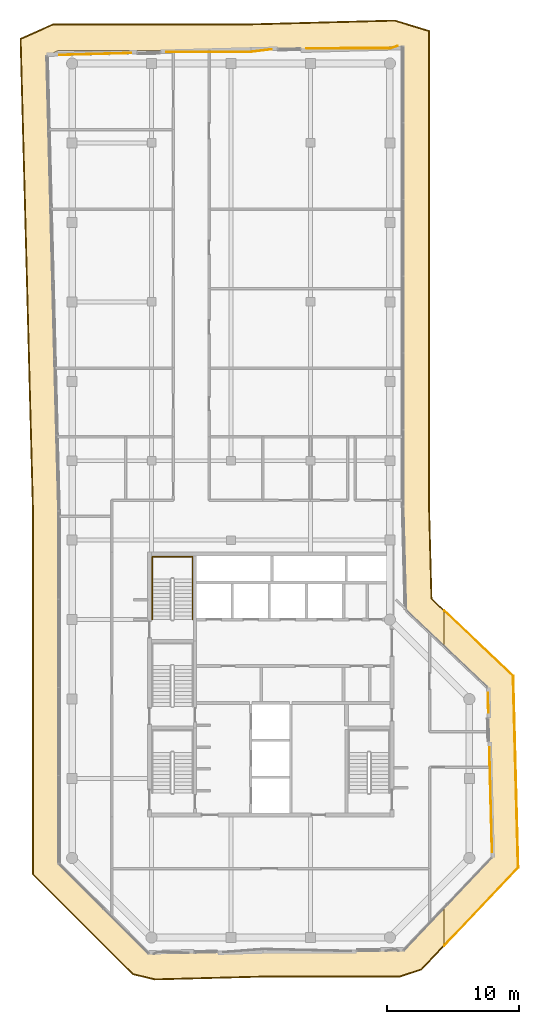
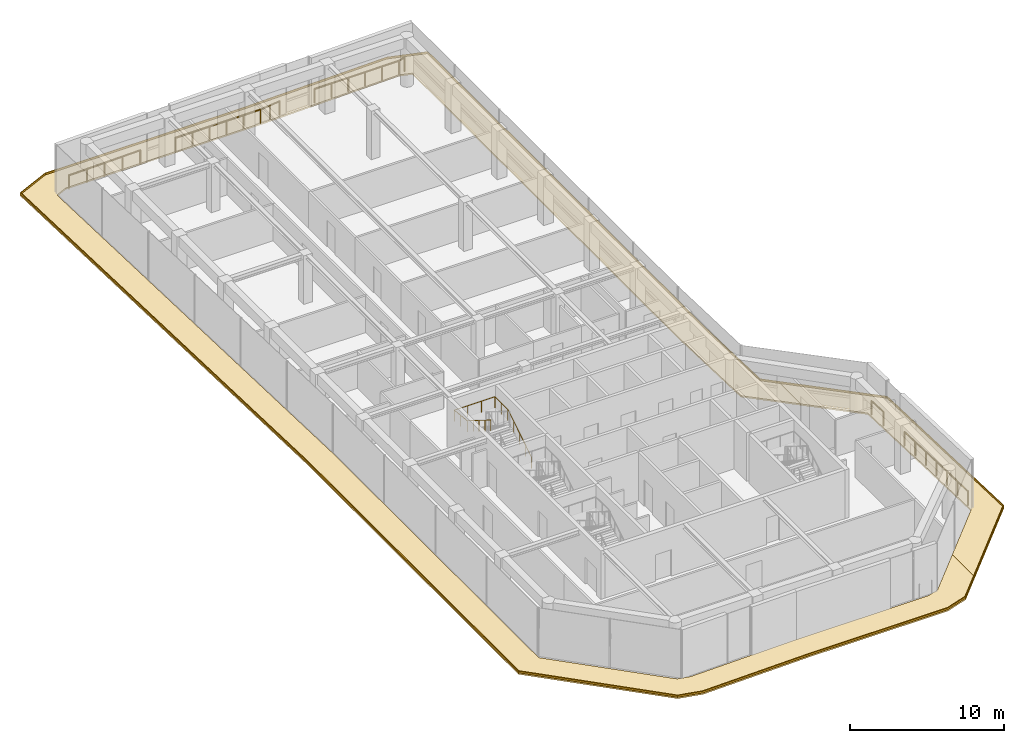
# One storey, part 20 of 20: 6 railings, 4 coverings.
"""IFC4 building model written with IfcOpenShell, lengths in metres."""

from ifc_helpers import new_model, si_unit, direction, frame, origin, origin_2d, place, context, subcontext, project, spatial, polyline, circle, outline, extrude, material, layer, layer_set, type_object, element, save


model = new_model("IFC4")

# Units and contexts
model_context = context("Model", 3, precision=1e-05, world=origin(), true_north=direction((0.0, 1.0)))
body_context = subcontext(model_context, "Body", "Model", "MODEL_VIEW")
ifc_project = project(units=[si_unit("LENGTHUNIT", "METRE"), si_unit("AREAUNIT", "SQUARE_METRE"), si_unit("VOLUMEUNIT", "CUBIC_METRE"), si_unit("PLANEANGLEUNIT", "RADIAN"), si_unit("MASSUNIT", "GRAM", prefix="KILO")], contexts=[model_context])

# Site, building, storey
site_placement = place(None, origin())
site = spatial("IfcSite", under=ifc_project, at=site_placement, CompositionType="ELEMENT")
building_placement = place(site_placement, origin())
building = spatial("IfcBuilding", under=site, at=building_placement, Name="Welwitschia Terrace Campus", CompositionType="ELEMENT")
storey_placement = place(building_placement, frame((0.0, 0.0, 293.60009765625)))
storey = spatial("IfcBuildingStorey", under=building, at=storey_placement, Name="L65", CompositionType="ELEMENT", Elevation=293.60009765625)

# Railings
ifc_material_1 = material(Name="Stainless steel grade 316", Category="steel")
railing_type_1 = type_object("IfcRailingType", Name="Guard 1100", PredefinedType="GUARDRAIL", material=ifc_material_1)
railing_1_placement = place(storey_placement, frame((-0.968017578125, 62.64111328125, 0.0)))
element("IfcRailing", 1, at=railing_1_placement, inside=storey, type_object=railing_type_1, Name="Guard floor edge L65.0", PredefinedType="GUARDRAIL", context=body_context, shape_type="SweptSolid", body=[
    extrude(circle(Radius=0.02392578125, at=origin_2d()), frame((0.0, 0.0, 1.076171875), z_axis=(0.99963896675, 0.026868869621, 0.0), x_axis=(-0.026868869621, 0.99963896675, 0.0)), (0.0, 0.0, 1.0), 5.424560546875),
    extrude(circle(Radius=0.02099609375, at=origin_2d()), origin(), (0.0, 0.0, 1.0), 1.052001953125),
    extrude(circle(Radius=0.02099609375, at=origin_2d()), frame((1.355712890625, 0.036376953125, 0.0)), (0.0, 0.0, 1.0), 1.052001953125),
    extrude(circle(Radius=0.02099609375, at=origin_2d()), frame((2.71142578125, 0.07275390625, 0.0)), (0.0, 0.0, 1.0), 1.052001953125),
    extrude(circle(Radius=0.02099609375, at=origin_2d()), frame((4.06689453125, 0.109375, 0.0)), (0.0, 0.0, 1.0), 1.052001953125),
    extrude(circle(Radius=0.02099609375, at=origin_2d()), frame((5.422607421875, 0.145751953125, 0.0)), (0.0, 0.0, 1.0), 1.052001953125),
])
railing_2_placement = place(storey_placement, frame((7.142578125, 62.85888671875, 0.0)))
element("IfcRailing", 2, at=railing_2_placement, inside=storey, type_object=railing_type_1, Name="Guard floor edge L65.2", PredefinedType="GUARDRAIL", context=body_context, shape_type="SweptSolid", body=[
    extrude(circle(Radius=0.02392578125, at=origin_2d()), frame((0.0, 0.0, 1.076171875), z_axis=(0.999994583097, 0.003291470229, 0.0), x_axis=(-0.003291470229, 0.999994583097, 0.0)), (0.0, 0.0, 1.0), 6.37890625),
    extrude(circle(Radius=0.02392578125, at=origin_2d()), frame((6.37890625, 0.02099609375, 1.076171875), z_axis=(0.992523233369, 0.122055852885, 0.0), x_axis=(-0.122055852885, 0.992523233369, 0.0)), (0.0, 0.0, 1.0), 1.564208984375),
    extrude(circle(Radius=0.02099609375, at=origin_2d()), origin(), (0.0, 0.0, 1.0), 1.052001953125),
    extrude(circle(Radius=0.02099609375, at=origin_2d()), frame((1.27587890625, 0.004150390625, 0.0)), (0.0, 0.0, 1.0), 1.052001953125),
    extrude(circle(Radius=0.02099609375, at=origin_2d()), frame((2.551513671875, 0.00830078125, 0.0)), (0.0, 0.0, 1.0), 1.052001953125),
    extrude(circle(Radius=0.02099609375, at=origin_2d()), frame((3.827392578125, 0.0126953125, 0.0)), (0.0, 0.0, 1.0), 1.052001953125),
    extrude(circle(Radius=0.02099609375, at=origin_2d()), frame((5.10302734375, 0.016845703125, 0.0)), (0.0, 0.0, 1.0), 1.052001953125),
    extrude(circle(Radius=0.02099609375, at=origin_2d()), frame((6.37890625, 0.02099609375, 0.0)), (0.0, 0.0, 1.0), 1.052001953125),
    extrude(circle(Radius=0.02099609375, at=origin_2d()), frame((7.1552734375, 0.116455078125, 0.0)), (0.0, 0.0, 1.0), 1.052001953125),
    extrude(circle(Radius=0.02099609375, at=origin_2d()), frame((7.931396484375, 0.2119140625, 0.0)), (0.0, 0.0, 1.0), 1.052001953125),
])
railing_3_placement = place(storey_placement, frame((17.720458984375, 63.139892578125, 0.0)))
element("IfcRailing", 3, at=railing_3_placement, inside=storey, type_object=railing_type_1, Name="Guard floor edge L65.4", PredefinedType="GUARDRAIL", context=body_context, shape_type="SweptSolid", body=[
    extrude(circle(Radius=0.02392578125, at=origin_2d()), frame((0.0, 0.0, 1.076171875), z_axis=(0.999996685871, 0.00257453804, 0.0), x_axis=(-0.00257453804, 0.999996685871, 0.0)), (0.0, 0.0, 1.0), 6.353515625),
    extrude(circle(Radius=0.02392578125, at=origin_2d()), frame((6.353515625, 0.016357421875, 1.076171875), z_axis=(0.950301895855, 0.311329900162, 0.0), x_axis=(-0.311329900162, 0.950301895855, 0.0)), (0.0, 0.0, 1.0), 0.52392578125),
    extrude(circle(Radius=0.02099609375, at=origin_2d()), origin(), (0.0, 0.0, 1.0), 1.052001953125),
    extrude(circle(Radius=0.02099609375, at=origin_2d()), frame((1.270751953125, 0.003173828125, 0.0)), (0.0, 0.0, 1.0), 1.052001953125),
    extrude(circle(Radius=0.02099609375, at=origin_2d()), frame((2.54150390625, 0.006591796875, 0.0)), (0.0, 0.0, 1.0), 1.052001953125),
    extrude(circle(Radius=0.02099609375, at=origin_2d()), frame((3.81201171875, 0.009765625, 0.0)), (0.0, 0.0, 1.0), 1.052001953125),
    extrude(circle(Radius=0.02099609375, at=origin_2d()), frame((5.082763671875, 0.01318359375, 0.0)), (0.0, 0.0, 1.0), 1.052001953125),
    extrude(circle(Radius=0.02099609375, at=origin_2d()), frame((6.353515625, 0.016357421875, 0.0)), (0.0, 0.0, 1.0), 1.052001953125),
    extrude(circle(Radius=0.02099609375, at=origin_2d()), frame((6.851318359375, 0.179443359375, 0.0)), (0.0, 0.0, 1.0), 1.052001953125),
])
railing_4_placement = place(storey_placement, frame((31.400634765625, 14.454345703125, 0.0)))
element("IfcRailing", 4, at=railing_4_placement, inside=storey, type_object=railing_type_1, Name="Guard floor edge L65.6", PredefinedType="GUARDRAIL", context=body_context, shape_type="SweptSolid", body=[
    extrude(circle(Radius=0.02392578125, at=origin_2d()), frame((0.0, 0.0, 1.076171875), z_axis=(0.026315441991, -0.999653688791, 0.0), x_axis=(0.999653688791, 0.026315441991, 0.0)), (0.0, 0.0, 1.0), 1.4658203125),
    extrude(circle(Radius=0.02099609375, at=origin_2d()), origin(), (0.0, 0.0, 1.0), 1.052001953125),
    extrude(circle(Radius=0.02099609375, at=origin_2d()), frame((0.03857421875, -1.46533203125, 0.0)), (0.0, 0.0, 1.0), 1.052001953125),
])
railing_5_placement = place(storey_placement, frame((31.50830078125, 10.342529296875, 0.0)))
element("IfcRailing", 5, at=railing_5_placement, inside=storey, type_object=railing_type_1, Name="Guard floor edge L65.7", PredefinedType="GUARDRAIL", context=body_context, shape_type="SweptSolid", body=[
    extrude(circle(Radius=0.02392578125, at=origin_2d()), frame((0.0, 0.0, 1.076171875), z_axis=(0.026199308686, -0.999656739198, 0.0), x_axis=(0.999656739198, 0.026199308686, 0.0)), (0.0, 0.0, 1.0), 7.892822265625),
    extrude(circle(Radius=0.02099609375, at=origin_2d()), origin(), (0.0, 0.0, 1.0), 1.052001953125),
    extrude(circle(Radius=0.02099609375, at=origin_2d()), frame((0.034423828125, -1.31494140625, 0.0)), (0.0, 0.0, 1.0), 1.052001953125),
    extrude(circle(Radius=0.02099609375, at=origin_2d()), frame((0.06884765625, -2.630126953125, 0.0)), (0.0, 0.0, 1.0), 1.052001953125),
    extrude(circle(Radius=0.02099609375, at=origin_2d()), frame((0.103515625, -3.945068359375, 0.0)), (0.0, 0.0, 1.0), 1.052001953125),
    extrude(circle(Radius=0.02099609375, at=origin_2d()), frame((0.137939453125, -5.260009765625, 0.0)), (0.0, 0.0, 1.0), 1.052001953125),
    extrude(circle(Radius=0.02099609375, at=origin_2d()), frame((0.17236328125, -6.5751953125, 0.0)), (0.0, 0.0, 1.0), 1.052001953125),
    extrude(circle(Radius=0.02099609375, at=origin_2d()), frame((0.206787109375, -7.89013671875, 0.0)), (0.0, 0.0, 1.0), 1.052001953125),
])
ifc_material_2 = material(Name="Steel S355", Category="steel")
railing_type_2 = type_object("IfcRailingType", Name="Stair handrail 900", PredefinedType="HANDRAIL", material=ifc_material_2)
railing_6_placement = place(storey_placement, frame((9.10009765625, 20.0, 0.1748046875)))
element("IfcRailing", 6, at=railing_6_placement, inside=storey, type_object=railing_type_2, Name="L65 S4 stair handrail", PredefinedType="HANDRAIL", context=body_context, shape_type="SweptSolid", body=[
    extrude(circle(Radius=0.02392578125, at=origin_2d()), frame((0.0, 0.0, 0.8759765625), z_axis=(0.0, 0.847998304005, 0.529998940003), x_axis=(-1.0, 0.0, 0.0)), (0.0, 0.0, 1.0), 3.632080078125),
    extrude(circle(Radius=0.02392578125, at=origin_2d()), frame((0.0, 3.080078125, 2.80078125), z_axis=(0.0, 1.0, 0.0), x_axis=(-1.0, 0.0, 0.0)), (0.0, 0.0, 1.0), 1.669921875),
    extrude(circle(Radius=0.02392578125, at=origin_2d()), frame((0.0, 4.75, 2.80078125), z_axis=(-1.0, 0.0, 0.0), x_axis=(0.0, -1.0, 0.0)), (0.0, 0.0, 1.0), 3.050048828125),
    extrude(circle(Radius=0.02392578125, at=origin_2d()), frame((-3.050048828125, 4.75, 2.80078125), z_axis=(0.0, -0.99455077262, 0.104253348533), x_axis=(1.0, 0.0, 0.0)), (0.0, 0.0, 1.0), 1.678955078125),
    extrude(circle(Radius=0.02392578125, at=origin_2d()), frame((-3.050048828125, 3.080078125, 2.97607421875), z_axis=(0.0, -0.847998304005, 0.529998940003), x_axis=(1.0, 0.0, 0.0)), (0.0, 0.0, 1.0), 3.632080078125),
    extrude(circle(Radius=0.02099609375, at=origin_2d()), origin(), (0.0, 0.0, 1.0), 0.851806640625),
    extrude(circle(Radius=0.02099609375, at=origin_2d()), frame((0.0, 0.77001953125, 0.481201171875)), (0.0, 0.0, 1.0), 0.851806640625),
    extrude(circle(Radius=0.02099609375, at=origin_2d()), frame((0.0, 1.5400390625, 0.96240234375)), (0.0, 0.0, 1.0), 0.851806640625),
    extrude(circle(Radius=0.02099609375, at=origin_2d()), frame((0.0, 2.31005859375, 1.44384765625)), (0.0, 0.0, 1.0), 0.851806640625),
    extrude(circle(Radius=0.02099609375, at=origin_2d()), frame((0.0, 3.080078125, 1.925048828125)), (0.0, 0.0, 1.0), 0.851806640625),
    extrude(circle(Radius=0.02099609375, at=origin_2d()), frame((0.0, 3.9150390625, 1.925048828125)), (0.0, 0.0, 1.0), 0.851806640625),
    extrude(circle(Radius=0.02099609375, at=origin_2d()), frame((0.0, 4.75, 1.925048828125)), (0.0, 0.0, 1.0), 0.851806640625),
    extrude(circle(Radius=0.02099609375, at=origin_2d()), frame((-1.0166015625, 4.75, 1.925048828125)), (0.0, 0.0, 1.0), 0.851806640625),
    extrude(circle(Radius=0.02099609375, at=origin_2d()), frame((-2.033447265625, 4.75, 1.925048828125)), (0.0, 0.0, 1.0), 0.851806640625),
    extrude(circle(Radius=0.02099609375, at=origin_2d()), frame((-3.050048828125, 4.75, 1.925048828125)), (0.0, 0.0, 1.0), 0.851806640625),
    extrude(circle(Radius=0.02099609375, at=origin_2d()), frame((-3.050048828125, 3.9150390625, 2.0126953125)), (0.0, 0.0, 1.0), 0.851806640625),
    extrude(circle(Radius=0.02099609375, at=origin_2d()), frame((-3.050048828125, 3.080078125, 2.10009765625)), (0.0, 0.0, 1.0), 0.851806640625),
    extrude(circle(Radius=0.02099609375, at=origin_2d()), frame((-3.050048828125, 2.31005859375, 2.581298828125)), (0.0, 0.0, 1.0), 0.851806640625),
    extrude(circle(Radius=0.02099609375, at=origin_2d()), frame((-3.050048828125, 1.5400390625, 3.0625)), (0.0, 0.0, 1.0), 0.851806640625),
    extrude(circle(Radius=0.02099609375, at=origin_2d()), frame((-3.050048828125, 0.77001953125, 3.5439453125)), (0.0, 0.0, 1.0), 0.851806640625),
    extrude(circle(Radius=0.02099609375, at=origin_2d()), frame((-3.050048828125, 0.0, 4.025146484375)), (0.0, 0.0, 1.0), 0.851806640625),
])

# Coverings
ifc_material_3 = material(Name="Bronze anodised aluminium", Category="aluminium")
ifc_layer_1 = layer(ifc_material_3, 0.1201171875)
ifc_layer_set_1 = layer_set([ifc_layer_1], Name="Bronze anodised aluminium")
covering_type_1 = type_object("IfcCoveringType", Name="Sunshade band 2000", PredefinedType="USERDEFINED", material=ifc_layer_set_1)
covering_1_placement = place(storey_placement, frame((0.0, 0.0, -0.25)))
element("IfcCovering", 7, at=covering_1_placement, inside=storey, type_object=covering_type_1, Name="SUNSHADE L65.SW0", ObjectType="SUNSHADE", PredefinedType="USERDEFINED", context=body_context, shape_type="SweptSolid", body=[
    extrude(outline(polyline([(24.362060546875, 65.28466796875), (27.0, 64.48193359375), (27.0, 28.55859375), (27.1826171875, 21.586181640625), (28.09912109375, 20.71630859375), (28.09912109375, 17.959228515625), (25.205078125, 20.70556640625), (25.0, 28.532470703125), (25.0, 63.0), (24.090087890625, 63.27685546875), (13.52001953125, 63.0), (-1.0, 63.0), (-1.90087890625, 62.59619140625), (-1.0, 28.192138671875), (-1.0, 1.585693359375), (5.585693359375, -5.0), (6.462646484375, -5.2080078125), (14.41015625, -5.0), (24.414306640625, -5.0), (25.28466796875, -4.715087890625), (28.09912109375, -1.74951171875), (28.09912109375, -4.65478515625), (26.38720703125, -6.458740234375), (24.733154296875, -7.0), (14.436279296875, -7.0), (6.25439453125, -7.214111328125), (4.572509765625, -6.81494140625), (-3.0, 0.75732421875), (-3.0, 28.166015625), (-3.93505859375, 63.876220703125), (-1.427734375, 65.0), (13.49365234375, 65.0), (24.362060546875, 65.28466796875)])), origin(), (0.0, 0.0, 1.0), 0.119873046875),
])
covering_2_placement = place(storey_placement, frame((0.0, 0.0, -0.25)))
element("IfcCovering", 8, at=covering_2_placement, inside=storey, type_object=covering_type_1, Name="SUNSHADE L65.SE0", ObjectType="SUNSHADE", PredefinedType="USERDEFINED", context=body_context, shape_type="SweptSolid", body=[
    extrude(outline(polyline([(33.337646484375, 15.7451171875), (33.716796875, 1.264892578125), (28.09912109375, -4.65478515625), (28.09912109375, -1.74951171875), (31.69580078125, 2.040771484375), (31.360107421875, 14.86474609375), (28.09912109375, 17.959228515625), (28.09912109375, 20.71630859375), (33.337646484375, 15.7451171875)])), origin(), (0.0, 0.0, 1.0), 0.119873046875),
])
ifc_material_4 = material(Name="Bronze anodised aluminium", Category="aluminium")
ifc_layer_2 = layer(ifc_material_4, 0.06005859375)
ifc_layer_set_2 = layer_set([ifc_layer_2], Name="Bronze anodised aluminium")
covering_type_2 = type_object("IfcCoveringType", Name="Sunshade lip 60", PredefinedType="USERDEFINED", material=ifc_layer_set_2)
covering_3_placement = place(storey_placement, frame((0.0, 0.0, -0.130126953125)))
element("IfcCovering", 9, at=covering_3_placement, inside=storey, type_object=covering_type_2, Name="SUNSHADE LIP L65.SW0.0", ObjectType="SUNSHADE", PredefinedType="USERDEFINED", context=body_context, shape_type="SweptSolid", body=[
    extrude(outline(polyline([(27.0, 64.48193359375), (27.0, 28.55859375), (27.1826171875, 21.586181640625), (28.09912109375, 20.71630859375), (28.09912109375, 20.633544921875), (27.123291015625, 21.559814453125), (26.93994140625, 28.557861328125), (26.93994140625, 64.4375), (24.35400390625, 65.224365234375), (13.494384765625, 64.93994140625), (-1.414794921875, 64.93994140625), (-3.8740234375, 63.837646484375), (-2.93994140625, 28.166748046875), (-2.93994140625, 0.7822265625), (4.602783203125, -6.760498046875), (6.2607421875, -7.154052734375), (14.435546875, -6.93994140625), (24.723388671875, -6.93994140625), (26.35400390625, -6.406494140625), (28.09912109375, -4.567626953125), (28.09912109375, -4.65478515625), (26.38720703125, -6.458740234375), (24.733154296875, -7.0), (14.436279296875, -7.0), (6.25439453125, -7.214111328125), (4.572509765625, -6.81494140625), (-3.0, 0.75732421875), (-3.0, 28.166015625), (-3.93505859375, 63.876220703125), (-1.427734375, 65.0), (13.49365234375, 65.0), (24.362060546875, 65.28466796875), (27.0, 64.48193359375)])), origin(), (0.0, 0.0, 1.0), 0.130126953125),
])
covering_4_placement = place(storey_placement, frame((0.0, 0.0, -0.130126953125)))
element("IfcCovering", 10, at=covering_4_placement, inside=storey, type_object=covering_type_2, Name="SUNSHADE LIP L65.SE0.0", ObjectType="SUNSHADE", PredefinedType="USERDEFINED", context=body_context, shape_type="SweptSolid", body=[
    extrude(outline(polyline([(33.716796875, 1.264892578125), (28.09912109375, -4.65478515625), (28.09912109375, -4.567626953125), (33.656005859375, 1.2880859375), (33.2783203125, 15.71875), (28.09912109375, 20.633544921875), (28.09912109375, 20.71630859375), (33.337646484375, 15.7451171875), (33.716796875, 1.264892578125)])), origin(), (0.0, 0.0, 1.0), 0.130126953125),
])

save(model, "model.ifc")
